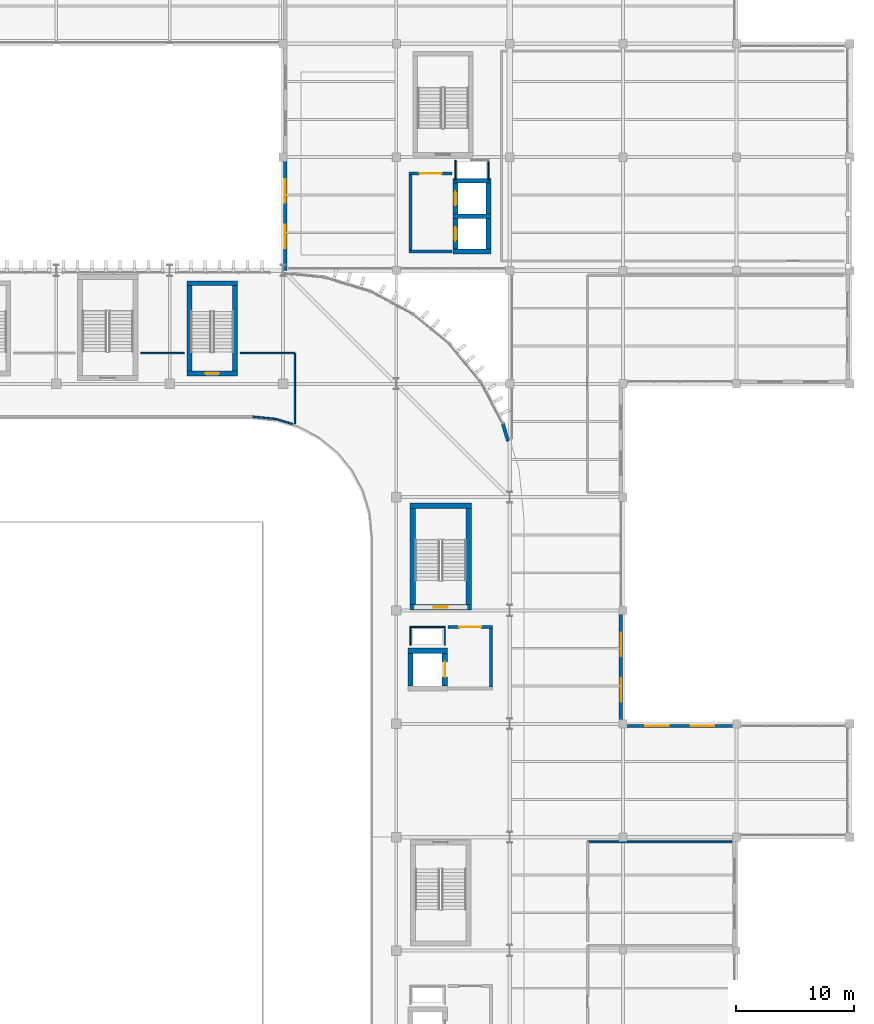
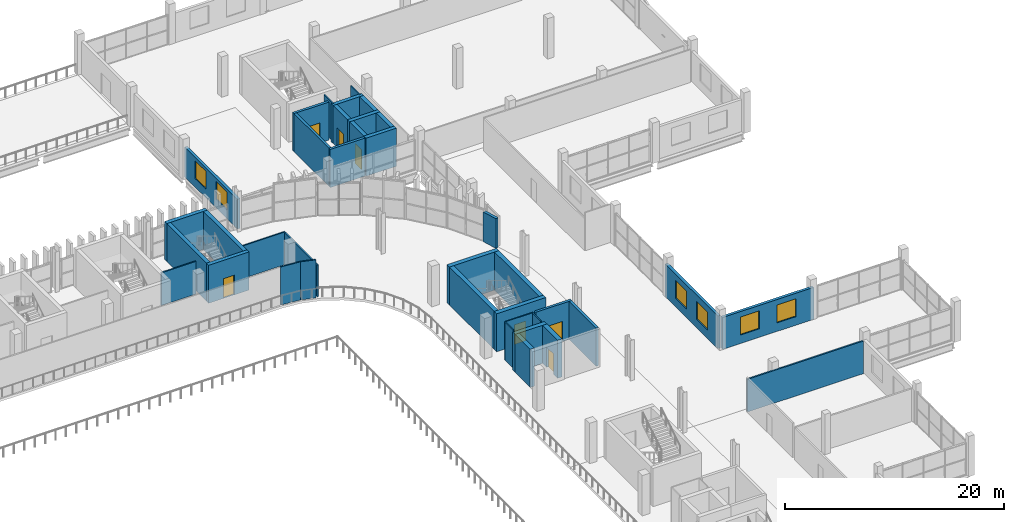
# One storey, part 51 of 75: 38 walls, 7 doors, 6 windows, 13 openings.
"""IFC4 building model written with IfcOpenShell, lengths in metres."""

import ifcopenshell
import ifcopenshell.guid

model = None  # the IFC model being written
_history = None  # IfcOwnerHistory: only IFC2X3 demands one
_inside = {}  # id of a spatial element -> (the spatial element, [elements in it])
_under = {}  # id of a project, library or spatial element -> (it, [spatial elements below it])
_declared = {}  # id of a project -> (the project, [libraries it declares])
_typed = {}  # id of a type object -> (the type object, [elements of that type])
_made_of = {}  # id of a material, layer set ... -> (it, [elements and type objects made of it])


def new_model(schema):
    """Start an empty IFC model of exactly this schema.

    Asked for "IFC4X3", IfcOpenShell would pick the latest addendum, in which some entities
    have other attributes; the version numbers below select the first issue.
    IFC2X3 requires an IfcOwnerHistory on every rooted entity: one is made here for all.
    """
    global model, _history
    if schema == "IFC4X3":
        model = ifcopenshell.file(schema_version=(4, 3, 0, 0))
    else:
        model = ifcopenshell.file(schema=schema)
    _inside.clear()
    _under.clear()
    _declared.clear()
    _typed.clear()
    _made_of.clear()
    _history = None
    if model.schema == "IFC2X3":
        org = make("IfcOrganization", Name="unknown")
        user = make(
            "IfcPersonAndOrganization",
            ThePerson=make("IfcPerson", FamilyName="unknown"),
            TheOrganization=org,
        )
        app = make(
            "IfcApplication",
            ApplicationDeveloper=org,
            Version="unknown",
            ApplicationFullName="unknown",
            ApplicationIdentifier="unknown",
        )
        _history = make(
            "IfcOwnerHistory",
            OwningUser=user,
            OwningApplication=app,
            ChangeAction="ADDED",
            CreationDate=0,
        )
    return model


def make(cls, **values):
    """One entity of the class cls with the attributes given. An attribute that is None is left unset."""
    return model.create_entity(
        cls, **{name: value for name, value in values.items() if value is not None}
    )


def rooted(cls, **values):
    """An entity with a GlobalId (a new one), such as an element, a storey or a relation."""
    return make(cls, GlobalId=ifcopenshell.guid.new(), OwnerHistory=_history, **values)


def si_unit(unit_type, name, prefix=None):
    """IfcSIUnit, for example si_unit("LENGTHUNIT", "METRE", prefix="MILLI")."""
    return make("IfcSIUnit", UnitType=unit_type, Prefix=prefix, Name=name)


def assignment(units):
    """IfcUnitAssignment: the units of a project."""
    return None if units is None else make("IfcUnitAssignment", Units=units)


def point(xyz):
    """IfcCartesianPoint."""
    return None if xyz is None else make("IfcCartesianPoint", Coordinates=xyz)


def direction(xyz):
    """IfcDirection."""
    return None if xyz is None else make("IfcDirection", DirectionRatios=xyz)


def frame(location, z_axis=None, x_axis=None):
    """IfcAxis2Placement3D, a coordinate frame: its origin and axes. An axis left out is left unset."""
    return make(
        "IfcAxis2Placement3D",
        Location=point(location),
        Axis=direction(z_axis),
        RefDirection=direction(x_axis),
    )


def frame_2d(location, x_axis=None):
    """IfcAxis2Placement2D, a coordinate frame in the plane: its origin and x axis."""
    return make(
        "IfcAxis2Placement2D", Location=point(location), RefDirection=direction(x_axis)
    )


def origin():
    """The frame at (0, 0, 0) with its axes left unset."""
    return frame((0.0, 0.0, 0.0))


def place(relative_to, where):
    """IfcLocalPlacement: puts the frame where relative to a parent placement (None: the world)."""
    return make(
        "IfcLocalPlacement", PlacementRelTo=relative_to, RelativePlacement=where
    )


def context(
    kind, dimensions, precision=None, world=None, true_north=None, identifier=None
):
    """IfcGeometricRepresentationContext, for example the 3D "Model" context."""
    return make(
        "IfcGeometricRepresentationContext",
        ContextIdentifier=identifier,
        ContextType=kind,
        CoordinateSpaceDimension=dimensions,
        Precision=precision,
        WorldCoordinateSystem=world,
        TrueNorth=true_north,
    )


def subcontext(parent, identifier, kind, view, scale=None):
    """IfcGeometricRepresentationSubContext, for example "Body" below "Model"."""
    return make(
        "IfcGeometricRepresentationSubContext",
        ContextIdentifier=identifier,
        ContextType=kind,
        ParentContext=parent,
        TargetScale=scale,
        TargetView=view,
    )


def project(units=None, contexts=None):
    """IfcProject with its units and contexts."""
    return rooted(
        "IfcProject",
        Name="project",
        RepresentationContexts=contexts,
        UnitsInContext=assignment(units),
    )


def spatial(cls, under=None, at=None, **own):
    """A site, building, storey or space (cls), placed at a placement, below another one or the project."""
    s = rooted(cls, ObjectPlacement=at, **own)
    if under is not None:
        _under.setdefault(under.id(), (under, []))[1].append(s)
    return s


def profile(cls, at=None, kind="AREA", **sizes):
    """A parametric profile (cls). Its sizes go by their IFC names, for example OverallWidth=200.0."""
    return make(cls, ProfileType=kind, Position=at, **sizes)


def rectangle(**sizes):
    """IfcRectangleProfileDef."""
    return profile("IfcRectangleProfileDef", **sizes)


def extrude(swept, where, along, depth):
    """IfcExtrudedAreaSolid: the profile swept, set in the frame where, extruded along a direction by depth."""
    return make(
        "IfcExtrudedAreaSolid",
        SweptArea=swept,
        Position=where,
        ExtrudedDirection=direction(along),
        Depth=depth,
    )


def shape(context_of_items, identifier, shape_type, items):
    """IfcShapeRepresentation: the items that make up one representation, for example the "Body"."""
    return make(
        "IfcShapeRepresentation",
        ContextOfItems=context_of_items,
        RepresentationIdentifier=identifier,
        RepresentationType=shape_type,
        Items=items,
    )


def material(Name=None, Category=None):
    """IfcMaterial."""
    return make("IfcMaterial", Name=Name, Category=Category)


def layer(
    of_material, thickness, ventilated=None, Name=None, Category=None, Priority=None
):
    """IfcMaterialLayer: one layer of a wall or slab, of a material (None: an air gap)."""
    return make(
        "IfcMaterialLayer",
        Material=of_material,
        LayerThickness=thickness,
        IsVentilated=ventilated,
        Name=Name,
        Category=Category,
        Priority=Priority,
    )


def layer_set(layers, Name=None):
    """IfcMaterialLayerSet."""
    return make("IfcMaterialLayerSet", MaterialLayers=layers, LayerSetName=Name)


def made_of(thing, what):
    """Note that an element or type object is made of a material, layer set ...; save() writes the relation."""
    if what is not None:
        _made_of.setdefault(what.id(), (what, []))[1].append(thing)
    return thing


def type_object(cls, material=None, **own):
    """A type object (cls), such as IfcWallType, which elements share."""
    return made_of(rooted(cls, **own), material)


def element(
    cls,
    number,
    at=None,
    inside=None,
    cuts=None,
    type_object=None,
    material=None,
    context=None,
    identifier="Body",
    shape_type=None,
    held_by="IfcProductDefinitionShape",
    body=None,
    shapes=None,
    **own,
):
    """One element of the class cls, such as IfcWall. Its Tag is "e" and its number.

    at: its placement. inside: the storey or other place that contains it. cuts: it is an
    opening in that element (IfcRelVoidsElement). A single representation is given by context,
    identifier, shape_type and body (its items); several are given by shapes. held_by: the class
    of the entity that holds the representations. save() writes the other relations.
    """
    e = rooted(cls, Tag="e%d" % number, ObjectPlacement=at, **own)
    if body is not None:
        shapes = [shape(context, identifier, shape_type, body)]
    if shapes is not None:
        e.Representation = make(held_by, Representations=shapes)
    if inside is not None:
        _inside.setdefault(inside.id(), (inside, []))[1].append(e)
    if cuts is not None:
        rooted(
            "IfcRelVoidsElement", RelatingBuildingElement=cuts, RelatedOpeningElement=e
        )
    if type_object is not None:
        _typed.setdefault(type_object.id(), (type_object, []))[1].append(e)
    return made_of(e, material)


def fill(opening, filler):
    """IfcRelFillsElement: the door or window that sits in an opening."""
    return rooted(
        "IfcRelFillsElement",
        RelatingOpeningElement=opening,
        RelatedBuildingElement=filler,
    )


def aggregate(whole, parts):
    """IfcRelAggregates: a whole, such as a stair, and the parts it consists of."""
    return rooted("IfcRelAggregates", RelatingObject=whole, RelatedObjects=parts)


def save(model, path):
    """Write the relations noted so far, then the file.

    IfcRelAggregates (storeys below a building ...), IfcRelContainedInSpatialStructure (elements
    in a storey), IfcRelDefinesByType, IfcRelAssociatesMaterial and IfcRelDeclares: one each for
    every whole, place, type object, material and project.
    """
    for whole, parts in _under.values():
        aggregate(whole, parts)
    for where, things in _inside.values():
        rooted(
            "IfcRelContainedInSpatialStructure",
            RelatedElements=things,
            RelatingStructure=where,
        )
    for kind, things in _typed.values():
        rooted("IfcRelDefinesByType", RelatedObjects=things, RelatingType=kind)
    for what, things in _made_of.values():
        rooted("IfcRelAssociatesMaterial", RelatedObjects=things, RelatingMaterial=what)
    for by, libraries in _declared.values():
        rooted("IfcRelDeclares", RelatingContext=by, RelatedDefinitions=libraries)
    model.write(path)


model = new_model("IFC4")

# Units and contexts
model_context = context("Model", 3, precision=1e-05, world=origin(), true_north=direction((0.0, 1.0)))
body_context = subcontext(model_context, "Body", "Model", "MODEL_VIEW")
ifc_project = project(units=[si_unit("LENGTHUNIT", "METRE"), si_unit("AREAUNIT", "SQUARE_METRE"), si_unit("VOLUMEUNIT", "CUBIC_METRE"), si_unit("PLANEANGLEUNIT", "RADIAN"), si_unit("MASSUNIT", "GRAM", prefix="KILO")], contexts=[model_context])

# Site, building, storey
site_placement = place(None, origin())
site = spatial("IfcSite", under=ifc_project, at=site_placement, CompositionType="ELEMENT")
building_placement = place(site_placement, origin())
building = spatial("IfcBuilding", under=site, at=building_placement, Name="Caelomonte Colonnade Arena", CompositionType="ELEMENT")
storey_placement = place(building_placement, frame((0.0, 0.0, 14.10009765625)))
storey = spatial("IfcBuildingStorey", under=building, at=storey_placement, Name="L03", CompositionType="ELEMENT", Elevation=14.10009765625)

# Wall, openings, windows
ifc_material_1 = material(Name="Precast concrete C40/50", Category="concrete")
ifc_layer_1 = layer(ifc_material_1, 0.2900390625)
ifc_layer_set_1 = layer_set([ifc_layer_1], Name="Precast concrete C40/50")
wall_type_1 = type_object("IfcWallType", Name="ENV-WL-EXT29", PredefinedType="SOLIDWALL", material=ifc_layer_set_1)
wall_1_placement = place(storey_placement, frame((182.39990234375, 76.6201171875, 0.0), z_axis=(0.0, 0.0, 1.0), x_axis=(-1.0, 0.0, 0.0)))
wall_1 = element("IfcWall", 1, at=wall_1_placement, inside=storey, type_object=wall_type_1, Name="L03 exterior wall EW-L03-0283", PredefinedType="SOLIDWALL", context=body_context, shape_type="SweptSolid", body=[
    extrude(rectangle(XDim=9.599853515625, YDim=0.2900390625, at=frame_2d((4.7998046875, 0.0))), origin(), (0.0, 0.0, 1.0), 3.556396484375),
])
opening_1_placement = place(wall_1_placement, frame((3.86669921875, 0.0, 0.949951171875), z_axis=(0.0, 0.0, 1.0), x_axis=(-1.0, 0.0, 0.0)))
opening_1 = element("IfcOpeningElement", 2, at=opening_1_placement, cuts=wall_1, Name="Opening WN-06", PredefinedType="OPENING", context=body_context, shape_type="SweptSolid", body=[
    extrude(rectangle(XDim=2.0, YDim=2.0, at=frame_2d((1.0, 1.0))), frame((0.0, 0.155029296875, 0.0), z_axis=(0.0, -1.0, 0.0), x_axis=(1.0, 0.0, 0.0)), (0.0, 0.0, 1.0), 0.31005859375),
])
opening_2_placement = place(wall_1_placement, frame((7.7333984375, 0.0, 0.949951171875), z_axis=(0.0, 0.0, 1.0), x_axis=(-1.0, 0.0, 0.0)))
opening_2 = element("IfcOpeningElement", 3, at=opening_2_placement, cuts=wall_1, Name="Opening WN-06", PredefinedType="OPENING", context=body_context, shape_type="SweptSolid", body=[
    extrude(rectangle(XDim=2.0, YDim=2.0, at=frame_2d((1.0, 1.0))), frame((0.0, 0.155029296875, 0.0), z_axis=(0.0, -1.0, 0.0), x_axis=(1.0, 0.0, 0.0)), (0.0, 0.0, 1.0), 0.31005859375),
])
ifc_material_2 = material(Name="Solar-control bronze low-E double glazing", Category="glass")
window_type = type_object("IfcWindowType", Name="ENV-WN-V4C", PartitioningType="DOUBLE_PANEL_VERTICAL", PredefinedType="WINDOW", material=ifc_material_2)
window_1_placement = place(opening_1_placement, origin())
window_1 = element("IfcWindow", 4, at=window_1_placement, inside=storey, type_object=window_type, Name="L03 facade window 220", OverallHeight=2.0, OverallWidth=2.0, PartitioningType="SINGLE_PANEL", PredefinedType="WINDOW", context=body_context, shape_type="SweptSolid", body=[
    extrude(rectangle(XDim=2.0, YDim=2.0, at=frame_2d((1.0, 1.0))), frame((0.0, 0.030029296875, 0.0), z_axis=(0.0, -1.0, 0.0), x_axis=(1.0, 0.0, 0.0)), (0.0, 0.0, 1.0), 0.06005859375),
])
fill(opening_1, window_1)
window_2_placement = place(opening_2_placement, origin())
window_2 = element("IfcWindow", 5, at=window_2_placement, inside=storey, type_object=window_type, Name="L03 facade window 221", OverallHeight=2.0, OverallWidth=2.0, PartitioningType="SINGLE_PANEL", PredefinedType="WINDOW", context=body_context, shape_type="SweptSolid", body=[
    extrude(rectangle(XDim=2.0, YDim=2.0, at=frame_2d((1.0, 1.0))), frame((0.0, 0.030029296875, 0.0), z_axis=(0.0, -1.0, 0.0), x_axis=(1.0, 0.0, 0.0)), (0.0, 0.0, 1.0), 0.06005859375),
])
fill(opening_2, window_2)

wall_2_placement = place(storey_placement, frame((172.6201171875, 76.800048828125, 0.0), z_axis=(0.0, 0.0, 1.0), x_axis=(0.0, 1.0, 0.0)))
wall_2 = element("IfcWall", 6, at=wall_2_placement, inside=storey, type_object=wall_type_1, Name="L03 exterior wall EW-L03-0284", PredefinedType="SOLIDWALL", context=body_context, shape_type="SweptSolid", body=[
    extrude(rectangle(XDim=9.599853515625, YDim=0.2900390625, at=frame_2d((4.7998046875, 0.0))), origin(), (0.0, 0.0, 1.0), 3.637939453125),
])
opening_3_placement = place(wall_2_placement, frame((3.86669921875, 0.0, 0.949951171875), z_axis=(0.0, 0.0, 1.0), x_axis=(-1.0, 0.0, 0.0)))
opening_3 = element("IfcOpeningElement", 7, at=opening_3_placement, cuts=wall_2, Name="Opening WN-06", PredefinedType="OPENING", context=body_context, shape_type="SweptSolid", body=[
    extrude(rectangle(XDim=2.0, YDim=2.0, at=frame_2d((1.0, 1.0))), frame((0.0, 0.155029296875, 0.0), z_axis=(0.0, -1.0, 0.0), x_axis=(1.0, 0.0, 0.0)), (0.0, 0.0, 1.0), 0.31005859375),
])
opening_4_placement = place(wall_2_placement, frame((7.7333984375, 0.0, 0.949951171875), z_axis=(0.0, 0.0, 1.0), x_axis=(-1.0, 0.0, 0.0)))
opening_4 = element("IfcOpeningElement", 8, at=opening_4_placement, cuts=wall_2, Name="Opening WN-06", PredefinedType="OPENING", context=body_context, shape_type="SweptSolid", body=[
    extrude(rectangle(XDim=2.0, YDim=2.0, at=frame_2d((1.0, 1.0))), frame((0.0, 0.155029296875, 0.0), z_axis=(0.0, -1.0, 0.0), x_axis=(1.0, 0.0, 0.0)), (0.0, 0.0, 1.0), 0.31005859375),
])
window_3_placement = place(opening_3_placement, origin())
window_3 = element("IfcWindow", 9, at=window_3_placement, inside=storey, type_object=window_type, Name="L03 facade window 222", OverallHeight=2.0, OverallWidth=2.0, PartitioningType="SINGLE_PANEL", PredefinedType="WINDOW", context=body_context, shape_type="SweptSolid", body=[
    extrude(rectangle(XDim=2.0, YDim=2.0, at=frame_2d((1.0, 1.0))), frame((0.0, 0.030029296875, 0.0), z_axis=(0.0, -1.0, 0.0), x_axis=(1.0, 0.0, 0.0)), (0.0, 0.0, 1.0), 0.06005859375),
])
fill(opening_3, window_3)
window_4_placement = place(opening_4_placement, origin())
window_4 = element("IfcWindow", 10, at=window_4_placement, inside=storey, type_object=window_type, Name="L03 facade window 223", OverallHeight=2.0, OverallWidth=2.0, PartitioningType="SINGLE_PANEL", PredefinedType="WINDOW", context=body_context, shape_type="SweptSolid", body=[
    extrude(rectangle(XDim=2.0, YDim=2.0, at=frame_2d((1.0, 1.0))), frame((0.0, 0.030029296875, 0.0), z_axis=(0.0, -1.0, 0.0), x_axis=(1.0, 0.0, 0.0)), (0.0, 0.0, 1.0), 0.06005859375),
])
fill(opening_4, window_4)

wall_3_placement = place(storey_placement, frame((144.179931640625, 124.800048828125, 0.0), z_axis=(0.0, 0.0, 1.0), x_axis=(0.0, -1.0, 0.0)))
wall_3 = element("IfcWall", 11, at=wall_3_placement, inside=storey, type_object=wall_type_1, Name="L03 exterior wall EW-L03-0293", PredefinedType="SOLIDWALL", context=body_context, shape_type="SweptSolid", body=[
    extrude(rectangle(XDim=9.60009765625, YDim=0.2900390625, at=frame_2d((4.800048828125, 0.0))), origin(), (0.0, 0.0, 1.0), 3.312744140625),
])
opening_5_placement = place(wall_3_placement, frame((3.86669921875, 0.0, 0.949951171875), z_axis=(0.0, 0.0, 1.0), x_axis=(-1.0, 0.0, 0.0)))
opening_5 = element("IfcOpeningElement", 12, at=opening_5_placement, cuts=wall_3, Name="Opening WN-06", PredefinedType="OPENING", context=body_context, shape_type="SweptSolid", body=[
    extrude(rectangle(XDim=2.0, YDim=2.0, at=frame_2d((1.0, 1.0))), frame((0.0, 0.155029296875, 0.0), z_axis=(0.0, -1.0, 0.0), x_axis=(1.0, 0.0, 0.0)), (0.0, 0.0, 1.0), 0.31005859375),
])
opening_6_placement = place(wall_3_placement, frame((7.7333984375, 0.0, 0.949951171875), z_axis=(0.0, 0.0, 1.0), x_axis=(-1.0, 0.0, 0.0)))
opening_6 = element("IfcOpeningElement", 13, at=opening_6_placement, cuts=wall_3, Name="Opening WN-06", PredefinedType="OPENING", context=body_context, shape_type="SweptSolid", body=[
    extrude(rectangle(XDim=2.0, YDim=2.0, at=frame_2d((1.0, 1.0))), frame((0.0, 0.155029296875, 0.0), z_axis=(0.0, -1.0, 0.0), x_axis=(1.0, 0.0, 0.0)), (0.0, 0.0, 1.0), 0.31005859375),
])
window_5_placement = place(opening_5_placement, origin())
window_5 = element("IfcWindow", 14, at=window_5_placement, inside=storey, type_object=window_type, Name="L03 facade window 234", OverallHeight=2.0, OverallWidth=2.0, PartitioningType="SINGLE_PANEL", PredefinedType="WINDOW", context=body_context, shape_type="SweptSolid", body=[
    extrude(rectangle(XDim=2.0, YDim=2.0, at=frame_2d((1.0, 1.0))), frame((0.0, 0.030029296875, 0.0), z_axis=(0.0, -1.0, 0.0), x_axis=(1.0, 0.0, 0.0)), (0.0, 0.0, 1.0), 0.06005859375),
])
fill(opening_5, window_5)
window_6_placement = place(opening_6_placement, origin())
window_6 = element("IfcWindow", 15, at=window_6_placement, inside=storey, type_object=window_type, Name="L03 facade window 235", OverallHeight=2.0, OverallWidth=2.0, PartitioningType="SINGLE_PANEL", PredefinedType="WINDOW", context=body_context, shape_type="SweptSolid", body=[
    extrude(rectangle(XDim=2.0, YDim=2.0, at=frame_2d((1.0, 1.0))), frame((0.0, 0.030029296875, 0.0), z_axis=(0.0, -1.0, 0.0), x_axis=(1.0, 0.0, 0.0)), (0.0, 0.0, 1.0), 0.06005859375),
])
fill(opening_6, window_6)

# Wall
wall_4_placement = place(storey_placement, frame((163.06201171875, 100.75732421875, 0.0), z_axis=(0.0, 0.0, 1.0), x_axis=(-0.290196653702, 0.956967032964, 0.0)))
element("IfcWall", 16, at=wall_4_placement, inside=storey, type_object=wall_type_1, Name="L03 exterior wall EW-L03-0294", PredefinedType="SOLIDWALL", context=body_context, shape_type="SweptSolid", body=[
    extrude(rectangle(XDim=1.611083984375, YDim=0.2900390625, at=frame_2d((0.8056640625, 0.0))), origin(), (0.0, 0.0, 1.0), 3.312744140625),
])

# Wall, opening, door
ifc_material_3 = material(Name="Concrete C40/50", Category="concrete")
ifc_layer_2 = layer(ifc_material_3, 0.260009765625)
ifc_layer_set_2 = layer_set([ifc_layer_2], Name="Concrete C40/50")
wall_type_2 = type_object("IfcWallType", Name="INT-WL-FW26", PredefinedType="SOLIDWALL", material=ifc_layer_set_2)
wall_5_placement = place(storey_placement, frame((161.72998046875, 85.0, 0.0), z_axis=(0.0, 0.0, 1.0), x_axis=(-1.0, 0.0, 0.0)))
wall_5 = element("IfcWall", 17, at=wall_5_placement, inside=storey, type_object=wall_type_2, Name="FW-C3-LB L03 north enclosure wall", PredefinedType="SOLIDWALL", context=body_context, shape_type="SweptSolid", body=[
    extrude(rectangle(XDim=3.760009765625, YDim=0.260009765625, at=frame_2d((1.8798828125, 0.0))), origin(), (0.0, 0.0, 1.0), 4.239990234375),
])
opening_7_placement = place(wall_5_placement, frame((2.80517578125, 0.0, 0.0), z_axis=(0.0, 0.0, 1.0), x_axis=(-1.0, 0.0, 0.0)))
opening_7 = element("IfcOpeningElement", 18, at=opening_7_placement, cuts=wall_5, Name="Opening FD-2", PredefinedType="OPENING", context=body_context, shape_type="SweptSolid", body=[
    extrude(rectangle(XDim=1.85009765625, YDim=2.25, at=frame_2d((0.925048828125, 1.125))), frame((0.0, 0.139892578125, 0.0), z_axis=(0.0, -1.0, 0.0), x_axis=(1.0, 0.0, 0.0)), (0.0, 0.0, 1.0), 0.280029296875),
])
ifc_material_4 = material(Name="Fire-rated double steel door", Category="steel")
door_type_1 = type_object("IfcDoorType", Name="INT-DR-FD90B", OperationType="DOUBLE_DOOR_SINGLE_SWING", PredefinedType="DOOR", material=ifc_material_4)
door_1_placement = place(opening_7_placement, origin())
door_1 = element("IfcDoor", 19, at=door_1_placement, inside=storey, type_object=door_type_1, Name="Core C3 L03 lobby fire door", OperationType="DOUBLE_DOOR_SINGLE_SWING", OverallHeight=2.25, OverallWidth=1.85009765625, PredefinedType="DOOR", context=body_context, shape_type="SweptSolid", body=[
    extrude(rectangle(XDim=1.85009765625, YDim=2.25, at=frame_2d((0.925048828125, 1.125))), frame((0.0, 0.02490234375, 0.0), z_axis=(0.0, -1.0, 0.0), x_axis=(1.0, 0.0, 0.0)), (0.0, 0.0, 1.0), 0.050048828125),
])
fill(opening_7, door_1)

# Walls
wall_6_placement = place(storey_placement, frame((161.60009765625, 79.929931640625, 0.0), z_axis=(0.0, 0.0, 1.0), x_axis=(0.0, 1.0, 0.0)))
element("IfcWall", 20, at=wall_6_placement, inside=storey, type_object=wall_type_2, Name="FW-C3-LB L03 east enclosure wall", PredefinedType="SOLIDWALL", context=body_context, shape_type="SweptSolid", body=[
    extrude(rectangle(XDim=4.940185546875, YDim=0.260009765625, at=frame_2d((2.47021484375, 0.0))), origin(), (0.0, 0.0, 1.0), 4.239990234375),
])
wall_7_placement = place(storey_placement, frame((154.669921875, 116.800048828125, 0.0), z_axis=(0.0, 0.0, 1.0), x_axis=(1.0, 0.0, 0.0)))
element("IfcWall", 21, at=wall_7_placement, inside=storey, type_object=wall_type_2, Name="FW-C6-LB L03 south enclosure wall", PredefinedType="SOLIDWALL", context=body_context, shape_type="SweptSolid", body=[
    extrude(rectangle(XDim=3.66015625, YDim=0.260009765625, at=frame_2d((1.830078125, 0.0))), origin(), (0.0, 0.0, 1.0), 4.239990234375),
])

# Wall, opening, door
wall_8_placement = place(storey_placement, frame((158.330078125, 123.39990234375, 0.0), z_axis=(0.0, 0.0, 1.0), x_axis=(-1.0, 0.0, 0.0)))
wall_8 = element("IfcWall", 22, at=wall_8_placement, inside=storey, type_object=wall_type_2, Name="FW-C6-LB L03 north enclosure wall", PredefinedType="SOLIDWALL", context=body_context, shape_type="SweptSolid", body=[
    extrude(rectangle(XDim=3.66015625, YDim=0.260009765625, at=frame_2d((1.830078125, 0.0))), origin(), (0.0, 0.0, 1.0), 4.239990234375),
])
opening_8_placement = place(wall_8_placement, frame((2.755126953125, 0.0, 0.0), z_axis=(0.0, 0.0, 1.0), x_axis=(-1.0, 0.0, 0.0)))
opening_8 = element("IfcOpeningElement", 23, at=opening_8_placement, cuts=wall_8, Name="Opening FD-2", PredefinedType="OPENING", context=body_context, shape_type="SweptSolid", body=[
    extrude(rectangle(XDim=1.85009765625, YDim=2.25, at=frame_2d((0.925048828125, 1.125))), frame((0.0, 0.139892578125, 0.0), z_axis=(0.0, -1.0, 0.0), x_axis=(1.0, 0.0, 0.0)), (0.0, 0.0, 1.0), 0.280029296875),
])
door_2_placement = place(opening_8_placement, origin())
door_2 = element("IfcDoor", 24, at=door_2_placement, inside=storey, type_object=door_type_1, Name="Core C6 L03 lobby fire door", OperationType="DOUBLE_DOOR_SINGLE_SWING", OverallHeight=2.25, OverallWidth=1.85009765625, PredefinedType="DOOR", context=body_context, shape_type="SweptSolid", body=[
    extrude(rectangle(XDim=1.85009765625, YDim=2.25, at=frame_2d((0.925048828125, 1.125))), frame((0.0, 0.02490234375, 0.0), z_axis=(0.0, -1.0, 0.0), x_axis=(1.0, 0.0, 0.0)), (0.0, 0.0, 1.0), 0.050048828125),
])
fill(opening_8, door_2)

# Walls
wall_9_placement = place(storey_placement, frame((154.800048828125, 123.27001953125, 0.0), z_axis=(0.0, 0.0, 1.0), x_axis=(0.0, -1.0, 0.0)))
element("IfcWall", 25, at=wall_9_placement, inside=storey, type_object=wall_type_2, Name="FW-C6-LB L03 west enclosure wall", PredefinedType="SOLIDWALL", context=body_context, shape_type="SweptSolid", body=[
    extrude(rectangle(XDim=6.340087890625, YDim=0.260009765625, at=frame_2d((3.169921875, 0.0))), origin(), (0.0, 0.0, 1.0), 4.239990234375),
])
ifc_material_5 = material(Name="Service shaft lining partition")
ifc_layer_3 = layer(ifc_material_5, 0.10009765625)
ifc_layer_set_3 = layer_set([ifc_layer_3], Name="Service shaft lining partition")
wall_type_3 = type_object("IfcWallType", Name="INT-WL-PT10", PredefinedType="PARTITIONING", material=ifc_layer_set_3)
wall_10_placement = place(storey_placement, frame((157.75, 85.0, 0.0), z_axis=(0.0, 0.0, 1.0), x_axis=(-1.0, 0.0, 0.0)))
element("IfcWall", 26, at=wall_10_placement, inside=storey, type_object=wall_type_3, Name="FW-C3-RS L03 north enclosure wall", PredefinedType="PARTITIONING", context=body_context, shape_type="SweptSolid", body=[
    extrude(rectangle(XDim=3.0, YDim=0.10009765625, at=frame_2d((1.5, 0.0))), origin(), (0.0, 0.0, 1.0), 4.239990234375),
])
for number, where, z_axis, x_axis, name in (
    (27, (154.800048828125, 84.949951171875, 0.0), (0.0, 0.0, 1.0), (0.0, -1.0, 0.0), "FW-C3-RS L03 west enclosure wall"),
    (28, (157.699951171875, 83.449951171875, 0.0), (0.0, 0.0, 1.0), (0.0, 1.0, 0.0), "FW-C3-RS L03 east enclosure wall"),
):
    element("IfcWall", number, at=place(storey_placement, frame(where, z_axis=z_axis, x_axis=x_axis)), inside=storey, type_object=wall_type_3, Name=name, PredefinedType="PARTITIONING", context=body_context, shape_type="SweptSolid", body=[
        extrude(rectangle(XDim=1.5, YDim=0.10009765625, at=frame_2d((0.75, 0.0))), origin(), (0.0, 0.0, 1.0), 4.239990234375),
    ])
for number, where, z_axis, x_axis, name in (
    (29, (158.60009765625, 124.550048828125, 0.0), (0.0, 0.0, 1.0), (0.0, -1.0, 0.0), "FW-C6-RS L03 west enclosure wall"),
    (30, (161.39990234375, 122.85009765625, 0.0), (0.0, 0.0, 1.0), (0.0, 1.0, 0.0), "FW-C6-RS L03 east enclosure wall"),
):
    element("IfcWall", number, at=place(storey_placement, frame(where, z_axis=z_axis, x_axis=x_axis)), inside=storey, type_object=wall_type_3, Name=name, PredefinedType="PARTITIONING", context=body_context, shape_type="SweptSolid", body=[
        extrude(rectangle(XDim=1.699951171875, YDim=0.10009765625, at=frame_2d((0.85009765625, 0.0))), origin(), (0.0, 0.0, 1.0), 4.239990234375),
    ])
ifc_material_6 = material(Name="Suite demising stud partition")
ifc_layer_4 = layer(ifc_material_6, 0.139892578125)
ifc_layer_set_4 = layer_set([ifc_layer_4], Name="Suite demising stud partition")
wall_type_4 = type_object("IfcWallType", Name="INT-WL-PT14", PredefinedType="PARTITIONING", material=ifc_layer_set_4)
wall_11_placement = place(storey_placement, frame((131.949951171875, 108.199951171875, 0.0), z_axis=(0.0, 0.0, 1.0), x_axis=(1.0, 0.0, 0.0)))
element("IfcWall", 31, at=wall_11_placement, inside=storey, type_object=wall_type_4, Name="L03 Hospitality Suite North Ring partition 222", PredefinedType="PARTITIONING", context=body_context, shape_type="SweptSolid", body=[
    extrude(rectangle(XDim=3.670166015625, YDim=0.139892578125, at=frame_2d((1.8349609375, 0.0))), origin(), (0.0, 0.0, 1.0), 3.637939453125),
])
wall_12_placement = place(storey_placement, frame((140.3798828125, 108.199951171875, 0.0), z_axis=(0.0, 0.0, 1.0), x_axis=(1.0, 0.0, 0.0)))
element("IfcWall", 32, at=wall_12_placement, inside=storey, type_object=wall_type_4, Name="L03 Hospitality Suite North Ring partition 223", PredefinedType="PARTITIONING", context=body_context, shape_type="SweptSolid", body=[
    extrude(rectangle(XDim=4.6201171875, YDim=0.139892578125, at=frame_2d((2.31005859375, 0.0))), origin(), (0.0, 0.0, 1.0), 3.637939453125),
])
wall_13_placement = place(storey_placement, frame((145.0, 108.199951171875, 0.0), z_axis=(0.0, 0.0, 1.0), x_axis=(0.0, -1.0, 0.0)))
element("IfcWall", 33, at=wall_13_placement, inside=storey, type_object=wall_type_4, Name="L03 Hospitality Suite North Ring partition 224", PredefinedType="PARTITIONING", context=body_context, shape_type="SweptSolid", body=[
    extrude(rectangle(XDim=6.0, YDim=0.139892578125, at=frame_2d((3.0, 0.0))), origin(), (0.0, 0.0, 1.0), 3.556396484375),
])
wall_14_placement = place(storey_placement, frame((144.7939453125, 102.199951171875, 0.0), z_axis=(0.0, 0.0, 1.0), x_axis=(-0.956921766266, 0.290345885534, 0.0)))
element("IfcWall", 34, at=wall_14_placement, inside=storey, type_object=wall_type_4, Name="L03 Hospitality Suite North Ring partition 225", PredefinedType="PARTITIONING", context=body_context, shape_type="SweptSolid", body=[
    extrude(rectangle(XDim=1.441162109375, YDim=0.139892578125, at=frame_2d((0.720703125, 0.0))), origin(), (0.0, 0.0, 1.0), 4.239990234375),
])
wall_15_placement = place(storey_placement, frame((143.37255859375, 102.626708984375, 0.0), z_axis=(0.0, 0.0, 1.0), x_axis=(-0.995185270943, 0.098011614095, 0.0)))
element("IfcWall", 35, at=wall_15_placement, inside=storey, type_object=wall_type_4, Name="L03 Hospitality Suite North Ring partition 226", PredefinedType="PARTITIONING", context=body_context, shape_type="SweptSolid", body=[
    extrude(rectangle(XDim=1.96044921875, YDim=0.139892578125, at=frame_2d((0.980224609375, 0.0))), origin(), (0.0, 0.0, 1.0), 4.239990234375),
])
ifc_material_7 = material(Name="Moisture-resistant WC partition")
ifc_layer_5 = layer(ifc_material_7, 0.159912109375)
ifc_layer_set_5 = layer_set([ifc_layer_5], Name="Moisture-resistant WC partition")
wall_type_5 = type_object("IfcWallType", Name="INT-WL-PT16", PredefinedType="PARTITIONING", material=ifc_layer_set_5)
wall_16_placement = place(storey_placement, frame((169.800048828125, 66.800048828125, 0.0), z_axis=(0.0, 0.0, 1.0), x_axis=(1.0, 0.0, 0.0)))
element("IfcWall", 36, at=wall_16_placement, inside=storey, type_object=wall_type_5, Name="L03 Suite Level Accessible WC partition 236", PredefinedType="PARTITIONING", context=body_context, shape_type="SweptSolid", body=[
    extrude(rectangle(XDim=12.199951171875, YDim=0.159912109375, at=frame_2d((6.10009765625, 0.0))), origin(), (0.0, 0.0, 1.0), 3.637939453125),
])
ifc_material_8 = material(Name="Concrete C50/60", Category="concrete")
ifc_layer_6 = layer(ifc_material_8, 0.39990234375)
ifc_layer_set_6 = layer_set([ifc_layer_6], Name="Concrete C50/60")
wall_type_6 = type_object("IfcWallType", Name="INT-WL-SH40", PredefinedType="SHEAR", material=ifc_layer_set_6)
for number, where, z_axis, x_axis, name in (
    (37, (158.39990234375, 116.800048828125, 0.0), (0.0, 0.0, 1.0), (1.0, 0.0, 0.0), "CW-C6-LF L03 south enclosure wall"),
    (38, (161.60009765625, 119.800048828125, 0.0), (0.0, 0.0, 1.0), (-1.0, 0.0, 0.0), "CW-C6-LF L03 north enclosure wall"),
):
    element("IfcWall", number, at=place(storey_placement, frame(where, z_axis=z_axis, x_axis=x_axis)), inside=storey, type_object=wall_type_6, Name=name, PredefinedType="SHEAR", context=body_context, shape_type="SweptSolid", body=[
        extrude(rectangle(XDim=3.2001953125, YDim=0.39990234375, at=frame_2d((1.60009765625, 0.0))), origin(), (0.0, 0.0, 1.0), 4.239990234375),
    ])

# Wall, opening, door
wall_17_placement = place(storey_placement, frame((158.60009765625, 119.60009765625, 0.0), z_axis=(0.0, 0.0, 1.0), x_axis=(0.0, -1.0, 0.0)))
wall_17 = element("IfcWall", 39, at=wall_17_placement, inside=storey, type_object=wall_type_6, Name="CW-C6-LF L03 west enclosure wall", PredefinedType="SHEAR", context=body_context, shape_type="SweptSolid", body=[
    extrude(rectangle(XDim=2.60009765625, YDim=0.39990234375, at=frame_2d((1.300048828125, 0.0))), origin(), (0.0, 0.0, 1.0), 4.239990234375),
])
opening_9_placement = place(wall_17_placement, frame((0.72509765625, 0.0, 0.0), z_axis=(0.0, 0.0, 1.0), x_axis=(1.0, 0.0, 0.0)))
opening_9 = element("IfcOpeningElement", 40, at=opening_9_placement, cuts=wall_17, Name="Opening LD-LF-03-L03", PredefinedType="OPENING", context=body_context, shape_type="SweptSolid", body=[
    extrude(rectangle(XDim=1.14990234375, YDim=2.199951171875, at=frame_2d((0.574951171875, 1.10009765625))), frame((0.0, 0.2099609375, 0.0), z_axis=(0.0, -1.0, 0.0), x_axis=(1.0, 0.0, 0.0)), (0.0, 0.0, 1.0), 0.419921875),
])
ifc_material_9 = material(Name="Stainless steel lift landing door", Category="steel")
door_type_2 = type_object("IfcDoorType", Name="INT-DR-LD1", OperationType="SLIDING_TO_LEFT", PredefinedType="DOOR", material=ifc_material_9)
door_3_placement = place(opening_9_placement, origin())
door_3 = element("IfcDoor", 41, at=door_3_placement, inside=storey, type_object=door_type_2, Name="Lift LF-03 L03 sliding landing door", OperationType="SLIDING_TO_LEFT", OverallHeight=2.199951171875, OverallWidth=1.14990234375, PredefinedType="DOOR", context=body_context, shape_type="SweptSolid", body=[
    extrude(rectangle(XDim=1.14990234375, YDim=2.199951171875, at=frame_2d((0.574951171875, 1.10009765625))), frame((0.0, 0.02490234375, 0.0), z_axis=(0.0, -1.0, 0.0), x_axis=(1.0, 0.0, 0.0)), (0.0, 0.0, 1.0), 0.050048828125),
])
fill(opening_9, door_3)

# Walls
wall_18_placement = place(storey_placement, frame((161.39990234375, 117.0, 0.0), z_axis=(0.0, 0.0, 1.0), x_axis=(0.0, 1.0, 0.0)))
element("IfcWall", 42, at=wall_18_placement, inside=storey, type_object=wall_type_6, Name="CW-C6-LF L03 east enclosure wall", PredefinedType="SHEAR", context=body_context, shape_type="SweptSolid", body=[
    extrude(rectangle(XDim=2.60009765625, YDim=0.39990234375, at=frame_2d((1.300048828125, 0.0))), origin(), (0.0, 0.0, 1.0), 4.239990234375),
])
wall_19_placement = place(storey_placement, frame((161.60009765625, 122.800048828125, 0.0), z_axis=(0.0, 0.0, 1.0), x_axis=(-1.0, 0.0, 0.0)))
element("IfcWall", 43, at=wall_19_placement, inside=storey, type_object=wall_type_6, Name="CW-C6-LF2 L03 north enclosure wall", PredefinedType="SHEAR", context=body_context, shape_type="SweptSolid", body=[
    extrude(rectangle(XDim=3.2001953125, YDim=0.39990234375, at=frame_2d((1.60009765625, 0.0))), origin(), (0.0, 0.0, 1.0), 4.239990234375),
])

# Wall, opening, door
wall_20_placement = place(storey_placement, frame((158.60009765625, 122.60009765625, 0.0), z_axis=(0.0, 0.0, 1.0), x_axis=(0.0, -1.0, 0.0)))
wall_20 = element("IfcWall", 44, at=wall_20_placement, inside=storey, type_object=wall_type_6, Name="CW-C6-LF2 L03 west enclosure wall", PredefinedType="SHEAR", context=body_context, shape_type="SweptSolid", body=[
    extrude(rectangle(XDim=2.60009765625, YDim=0.39990234375, at=frame_2d((1.300048828125, 0.0))), origin(), (0.0, 0.0, 1.0), 4.239990234375),
])
opening_10_placement = place(wall_20_placement, frame((0.72509765625, 0.0, 0.0), z_axis=(0.0, 0.0, 1.0), x_axis=(1.0, 0.0, 0.0)))
opening_10 = element("IfcOpeningElement", 45, at=opening_10_placement, cuts=wall_20, Name="Opening LD-LF-04-L03", PredefinedType="OPENING", context=body_context, shape_type="SweptSolid", body=[
    extrude(rectangle(XDim=1.14990234375, YDim=2.199951171875, at=frame_2d((0.574951171875, 1.10009765625))), frame((0.0, 0.2099609375, 0.0), z_axis=(0.0, -1.0, 0.0), x_axis=(1.0, 0.0, 0.0)), (0.0, 0.0, 1.0), 0.419921875),
])
door_4_placement = place(opening_10_placement, origin())
door_4 = element("IfcDoor", 46, at=door_4_placement, inside=storey, type_object=door_type_2, Name="Lift LF-04 L03 sliding landing door", OperationType="SLIDING_TO_LEFT", OverallHeight=2.199951171875, OverallWidth=1.14990234375, PredefinedType="DOOR", context=body_context, shape_type="SweptSolid", body=[
    extrude(rectangle(XDim=1.14990234375, YDim=2.199951171875, at=frame_2d((0.574951171875, 1.10009765625))), frame((0.0, 0.02490234375, 0.0), z_axis=(0.0, -1.0, 0.0), x_axis=(1.0, 0.0, 0.0)), (0.0, 0.0, 1.0), 0.050048828125),
])
fill(opening_10, door_4)

# Wall
wall_21_placement = place(storey_placement, frame((161.39990234375, 120.0, 0.0), z_axis=(0.0, 0.0, 1.0), x_axis=(0.0, 1.0, 0.0)))
element("IfcWall", 47, at=wall_21_placement, inside=storey, type_object=wall_type_6, Name="CW-C6-LF2 L03 east enclosure wall", PredefinedType="SHEAR", context=body_context, shape_type="SweptSolid", body=[
    extrude(rectangle(XDim=2.60009765625, YDim=0.39990234375, at=frame_2d((1.300048828125, 0.0))), origin(), (0.0, 0.0, 1.0), 4.239990234375),
])

# Wall, opening, door
wall_22_placement = place(storey_placement, frame((135.8701171875, 106.469970703125, 0.0), z_axis=(0.0, 0.0, 1.0), x_axis=(1.0, 0.0, 0.0)))
wall_22 = element("IfcWall", 48, at=wall_22_placement, inside=storey, type_object=wall_type_6, Name="CW-ST-V16 L03 south enclosure wall", PredefinedType="SHEAR", context=body_context, shape_type="SweptSolid", body=[
    extrude(rectangle(XDim=4.259765625, YDim=0.39990234375, at=frame_2d((2.1298828125, 0.0))), origin(), (0.0, 0.0, 1.0), 4.239990234375),
])
opening_11_placement = place(wall_22_placement, frame((2.72998046875, 0.0, 0.0), z_axis=(0.0, 0.0, 1.0), x_axis=(-1.0, 0.0, 0.0)))
opening_11 = element("IfcOpeningElement", 49, at=opening_11_placement, cuts=wall_22, Name="Opening FD-1", PredefinedType="OPENING", context=body_context, shape_type="SweptSolid", body=[
    extrude(rectangle(XDim=1.199951171875, YDim=2.199951171875, at=frame_2d((0.60009765625, 1.10009765625))), frame((0.0, 0.2099609375, 0.0), z_axis=(0.0, -1.0, 0.0), x_axis=(1.0, 0.0, 0.0)), (0.0, 0.0, 1.0), 0.419921875),
])
ifc_material_10 = material(Name="Fire-rated steel door", Category="steel")
door_type_3 = type_object("IfcDoorType", Name="INT-DR-FD90A", OperationType="NOTDEFINED", PredefinedType="DOOR", material=ifc_material_10)
door_5_placement = place(opening_11_placement, origin())
door_5 = element("IfcDoor", 50, at=door_5_placement, inside=storey, type_object=door_type_3, Name="Vomitory VOM-16 stair ST-V16 L03 portal door", OperationType="SINGLE_SWING_RIGHT", OverallHeight=2.199951171875, OverallWidth=1.199951171875, PredefinedType="DOOR", context=body_context, shape_type="SweptSolid", body=[
    extrude(rectangle(XDim=1.199951171875, YDim=2.199951171875, at=frame_2d((0.60009765625, 1.10009765625))), frame((0.0, 0.02490234375, 0.0), z_axis=(0.0, -1.0, 0.0), x_axis=(1.0, 0.0, 0.0)), (0.0, 0.0, 1.0), 0.050048828125),
])
fill(opening_11, door_5)

# Walls
wall_23_placement = place(storey_placement, frame((140.1298828125, 114.1298828125, 0.0), z_axis=(0.0, 0.0, 1.0), x_axis=(-1.0, 0.0, 0.0)))
element("IfcWall", 51, at=wall_23_placement, inside=storey, type_object=wall_type_6, Name="CW-ST-V16 L03 north enclosure wall", PredefinedType="SHEAR", context=body_context, shape_type="SweptSolid", body=[
    extrude(rectangle(XDim=4.259765625, YDim=0.39990234375, at=frame_2d((2.1298828125, 0.0))), origin(), (0.0, 0.0, 1.0), 4.239990234375),
])
for number, where, z_axis, x_axis, name in (
    (52, (136.070068359375, 113.929931640625, 0.0), (0.0, 0.0, 1.0), (0.0, -1.0, 0.0), "CW-ST-V16 L03 west enclosure wall"),
    (53, (139.929931640625, 106.669921875, 0.0), (0.0, 0.0, 1.0), (0.0, 1.0, 0.0), "CW-ST-V16 L03 east enclosure wall"),
):
    element("IfcWall", number, at=place(storey_placement, frame(where, z_axis=z_axis, x_axis=x_axis)), inside=storey, type_object=wall_type_6, Name=name, PredefinedType="SHEAR", context=body_context, shape_type="SweptSolid", body=[
        extrude(rectangle(XDim=7.260009765625, YDim=0.39990234375, at=frame_2d((3.6298828125, 0.0))), origin(), (0.0, 0.0, 1.0), 4.239990234375),
    ])

# Wall, opening, door
ifc_layer_7 = layer(ifc_material_8, 0.449951171875)
ifc_layer_set_7 = layer_set([ifc_layer_7], Name="Concrete C50/60")
wall_type_7 = type_object("IfcWallType", Name="INT-WL-SH45", PredefinedType="SHEAR", material=ifc_layer_set_7)
wall_24_placement = place(storey_placement, frame((154.75, 86.675048828125, 0.0), z_axis=(0.0, 0.0, 1.0), x_axis=(1.0, 0.0, 0.0)))
wall_24 = element("IfcWall", 54, at=wall_24_placement, inside=storey, type_object=wall_type_7, Name="CW-C3-ST L03 south enclosure wall", PredefinedType="SHEAR", context=body_context, shape_type="SweptSolid", body=[
    extrude(rectangle(XDim=5.199951171875, YDim=0.449951171875, at=frame_2d((2.60009765625, 0.0))), origin(), (0.0, 0.0, 1.0), 4.239990234375),
])
opening_12_placement = place(wall_24_placement, frame((3.199951171875, 0.0, 0.0), z_axis=(0.0, 0.0, 1.0), x_axis=(-1.0, 0.0, 0.0)))
opening_12 = element("IfcOpeningElement", 55, at=opening_12_placement, cuts=wall_24, Name="Opening FD-1", PredefinedType="OPENING", context=body_context, shape_type="SweptSolid", body=[
    extrude(rectangle(XDim=1.199951171875, YDim=2.199951171875, at=frame_2d((0.60009765625, 1.10009765625))), frame((0.0, 0.23486328125, 0.0), z_axis=(0.0, -1.0, 0.0), x_axis=(1.0, 0.0, 0.0)), (0.0, 0.0, 1.0), 0.469970703125),
])
door_6_placement = place(opening_12_placement, origin())
door_6 = element("IfcDoor", 56, at=door_6_placement, inside=storey, type_object=door_type_3, Name="Core C3 L03 exit stair fire door", OperationType="SINGLE_SWING_LEFT", OverallHeight=2.199951171875, OverallWidth=1.199951171875, PredefinedType="DOOR", context=body_context, shape_type="SweptSolid", body=[
    extrude(rectangle(XDim=1.199951171875, YDim=2.199951171875, at=frame_2d((0.60009765625, 1.10009765625))), frame((0.0, 0.02490234375, 0.0), z_axis=(0.0, -1.0, 0.0), x_axis=(1.0, 0.0, 0.0)), (0.0, 0.0, 1.0), 0.050048828125),
])
fill(opening_12, door_6)

# Walls
wall_25_placement = place(storey_placement, frame((159.949951171875, 95.27490234375, 0.0), z_axis=(0.0, 0.0, 1.0), x_axis=(-1.0, 0.0, 0.0)))
element("IfcWall", 57, at=wall_25_placement, inside=storey, type_object=wall_type_7, Name="CW-C3-ST L03 north enclosure wall", PredefinedType="SHEAR", context=body_context, shape_type="SweptSolid", body=[
    extrude(rectangle(XDim=5.199951171875, YDim=0.449951171875, at=frame_2d((2.60009765625, 0.0))), origin(), (0.0, 0.0, 1.0), 4.239990234375),
])
for number, where, z_axis, x_axis, name in (
    (58, (154.97509765625, 95.050048828125, 0.0), (0.0, 0.0, 1.0), (0.0, -1.0, 0.0), "CW-C3-ST L03 west enclosure wall"),
    (59, (159.72509765625, 86.89990234375, 0.0), (0.0, 0.0, 1.0), (0.0, 1.0, 0.0), "CW-C3-ST L03 east enclosure wall"),
):
    element("IfcWall", number, at=place(storey_placement, frame(where, z_axis=z_axis, x_axis=x_axis)), inside=storey, type_object=wall_type_7, Name=name, PredefinedType="SHEAR", context=body_context, shape_type="SweptSolid", body=[
        extrude(rectangle(XDim=8.150146484375, YDim=0.449951171875, at=frame_2d((4.0751953125, 0.0))), origin(), (0.0, 0.0, 1.0), 4.239990234375),
    ])
wall_26_placement = place(storey_placement, frame((157.925048828125, 83.0, 0.0), z_axis=(0.0, 0.0, 1.0), x_axis=(-1.0, 0.0, 0.0)))
element("IfcWall", 60, at=wall_26_placement, inside=storey, type_object=wall_type_7, Name="CW-C3-LF L03 north enclosure wall", PredefinedType="SHEAR", context=body_context, shape_type="SweptSolid", body=[
    extrude(rectangle(XDim=3.35009765625, YDim=0.449951171875, at=frame_2d((1.675048828125, 0.0))), origin(), (0.0, 0.0, 1.0), 4.239990234375),
])
wall_27_placement = place(storey_placement, frame((154.800048828125, 82.77490234375, 0.0), z_axis=(0.0, 0.0, 1.0), x_axis=(0.0, -1.0, 0.0)))
element("IfcWall", 61, at=wall_27_placement, inside=storey, type_object=wall_type_7, Name="CW-C3-LF L03 west enclosure wall", PredefinedType="SHEAR", context=body_context, shape_type="SweptSolid", body=[
    extrude(rectangle(XDim=2.75, YDim=0.449951171875, at=frame_2d((1.375, 0.0))), origin(), (0.0, 0.0, 1.0), 4.239990234375),
])

# Wall, opening, door
wall_28_placement = place(storey_placement, frame((157.699951171875, 80.02490234375, 0.0), z_axis=(0.0, 0.0, 1.0), x_axis=(0.0, 1.0, 0.0)))
wall_28 = element("IfcWall", 62, at=wall_28_placement, inside=storey, type_object=wall_type_7, Name="CW-C3-LF L03 east enclosure wall", PredefinedType="SHEAR", context=body_context, shape_type="SweptSolid", body=[
    extrude(rectangle(XDim=2.75, YDim=0.449951171875, at=frame_2d((1.375, 0.0))), origin(), (0.0, 0.0, 1.0), 4.239990234375),
])
opening_13_placement = place(wall_28_placement, frame((0.72509765625, 0.0, 0.0), z_axis=(0.0, 0.0, 1.0), x_axis=(1.0, 0.0, 0.0)))
opening_13 = element("IfcOpeningElement", 63, at=opening_13_placement, cuts=wall_28, Name="Opening LD-FL-03-L03", PredefinedType="OPENING", context=body_context, shape_type="SweptSolid", body=[
    extrude(rectangle(XDim=1.300048828125, YDim=2.25, at=frame_2d((0.64990234375, 1.125))), frame((0.0, 0.23486328125, 0.0), z_axis=(0.0, -1.0, 0.0), x_axis=(1.0, 0.0, 0.0)), (0.0, 0.0, 1.0), 0.469970703125),
])
ifc_material_11 = material(Name="Firefighting lift landing door")
door_type_4 = type_object("IfcDoorType", Name="INT-DR-LD2", OperationType="SLIDING_TO_RIGHT", PredefinedType="DOOR", material=ifc_material_11)
door_7_placement = place(opening_13_placement, origin())
door_7 = element("IfcDoor", 64, at=door_7_placement, inside=storey, type_object=door_type_4, Name="Lift FL-03 L03 sliding landing door", OperationType="SLIDING_TO_RIGHT", OverallHeight=2.25, OverallWidth=1.300048828125, PredefinedType="DOOR", context=body_context, shape_type="SweptSolid", body=[
    extrude(rectangle(XDim=1.300048828125, YDim=2.25, at=frame_2d((0.64990234375, 1.125))), frame((0.0, 0.02490234375, 0.0), z_axis=(0.0, -1.0, 0.0), x_axis=(1.0, 0.0, 0.0)), (0.0, 0.0, 1.0), 0.050048828125),
])
fill(opening_13, door_7)

save(model, "model.ifc")
